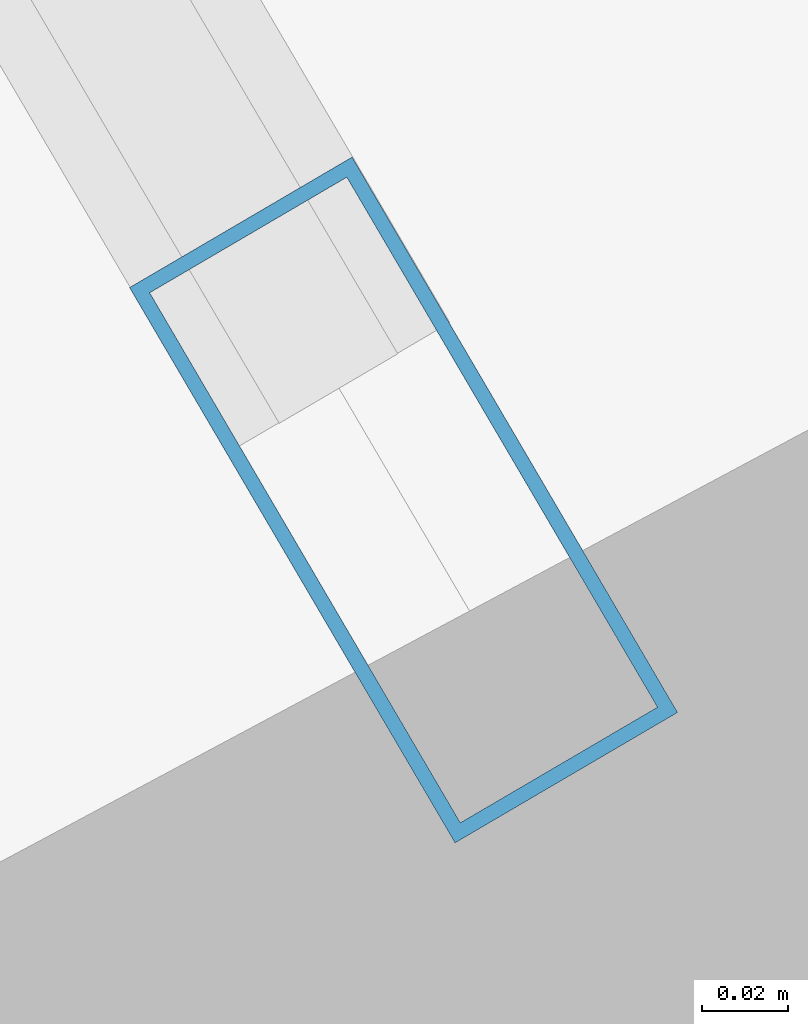
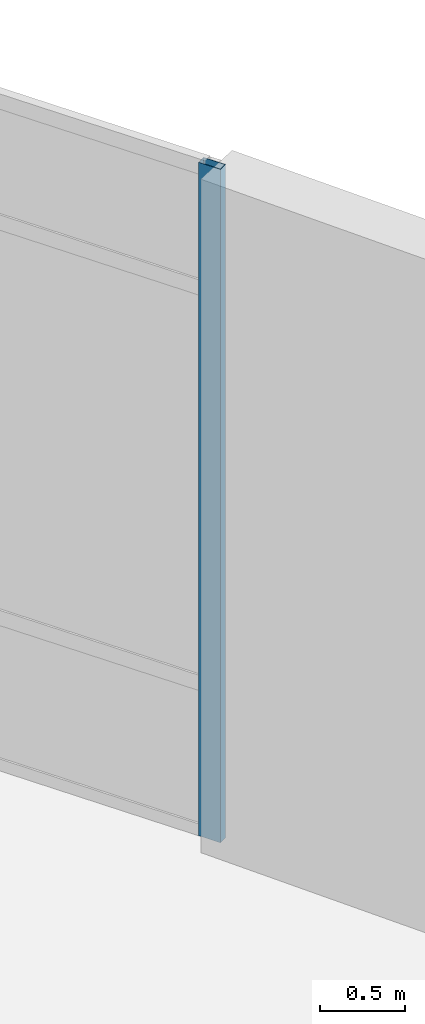
# One storey, part 54 of 91: 1 member, 1 element without a shape of its own.
"""IFC4 building model written with IfcOpenShell, lengths in metres."""

from ifc_helpers import new_model, si_unit, direction, frame, origin, origin_2d, place, context, subcontext, project, spatial, hollow_rectangle, extrude, material, layer, layer_set, material_profile, profile_set, type_object, element, aggregate, save


model = new_model("IFC4")

# Units and contexts
model_context = context("Model", 3, precision=1e-05, world=origin(), true_north=direction((0.0, 1.0)))
body_context = subcontext(model_context, "Body", "Model", "MODEL_VIEW")
ifc_project = project(units=[si_unit("LENGTHUNIT", "METRE"), si_unit("AREAUNIT", "SQUARE_METRE"), si_unit("VOLUMEUNIT", "CUBIC_METRE"), si_unit("PLANEANGLEUNIT", "RADIAN"), si_unit("MASSUNIT", "GRAM", prefix="KILO"), si_unit("THERMODYNAMICTEMPERATUREUNIT", "KELVIN")], contexts=[model_context])

# Site, building, storey
site_placement = place(None, origin())
site = spatial("IfcSite", under=ifc_project, at=site_placement, CompositionType="ELEMENT")
building_placement = place(site_placement, origin())
building = spatial("IfcBuilding", under=site, at=building_placement, Name="Lustrewick Department Store", CompositionType="ELEMENT")
storey_placement = place(building_placement, frame((0.0, 0.0, 21.60009765625)))
storey = spatial("IfcBuildingStorey", under=building, at=storey_placement, Name="L05", CompositionType="ELEMENT", Elevation=21.60009765625)

# Curtain wall, member
ifc_material = material(Name="Thermally broken aluminium 6063-T5", Category="aluminium")
ifc_layer = layer(ifc_material, 0.14990234375, Name="Thermally broken aluminium 6063-T5")
ifc_layer_set = layer_set([ifc_layer], Name="Thermally broken aluminium 6063-T5")
curtain_wall_type = type_object("IfcCurtainWallType", Name="CW05", PredefinedType="NOTDEFINED", material=ifc_layer_set)
curtain_wall_placement = place(storey_placement, origin())
curtain_wall = element("IfcCurtainWall", 1, at=curtain_wall_placement, inside=storey, type_object=curtain_wall_type, Name="L05 V4 Curtain Wall CW05", PredefinedType="NOTDEFINED")
ifc_material_profile = material_profile(ifc_material, hollow_rectangle(XDim=0.06005859375, YDim=0.14990234375, WallThickness=0.00341796875, at=origin_2d()), Name="ALU-M 60x150x3.5")
ifc_profile_set = profile_set([ifc_material_profile], Name="Thermally broken aluminium 6063-T5")
member_type = type_object("IfcMemberType", Name="CW05-M1", PredefinedType="MULLION", material=ifc_profile_set)
member_placement = place(storey_placement, frame((152.978515625, 80.34326171875, 0.0), z_axis=(0.0, 0.0, 1.0), x_axis=(-0.862731400988, -0.505662466226, 0.0)))
member = element("IfcMember", 2, at=member_placement, type_object=member_type, Name="CW05 mullion 1", PredefinedType="MULLION", context=body_context, shape_type="SweptSolid", body=[
    extrude(hollow_rectangle(XDim=0.06005859375, YDim=0.14990234375, WallThickness=0.00341796875, at=origin_2d()), origin(), (0.0, 0.0, 1.0), 4.844970703125),
])
aggregate(curtain_wall, [member])

save(model, "model.ifc")
